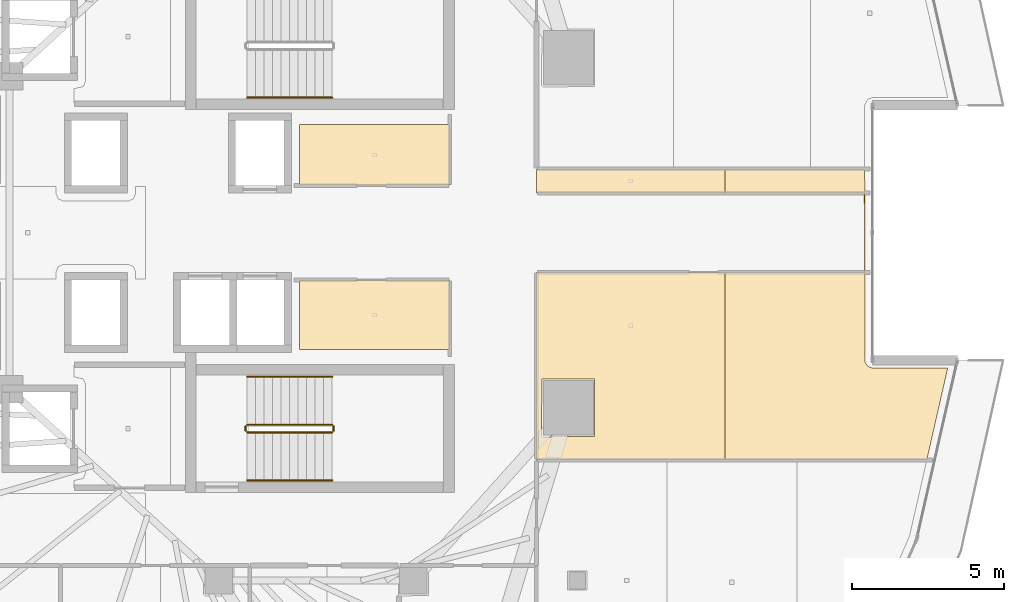
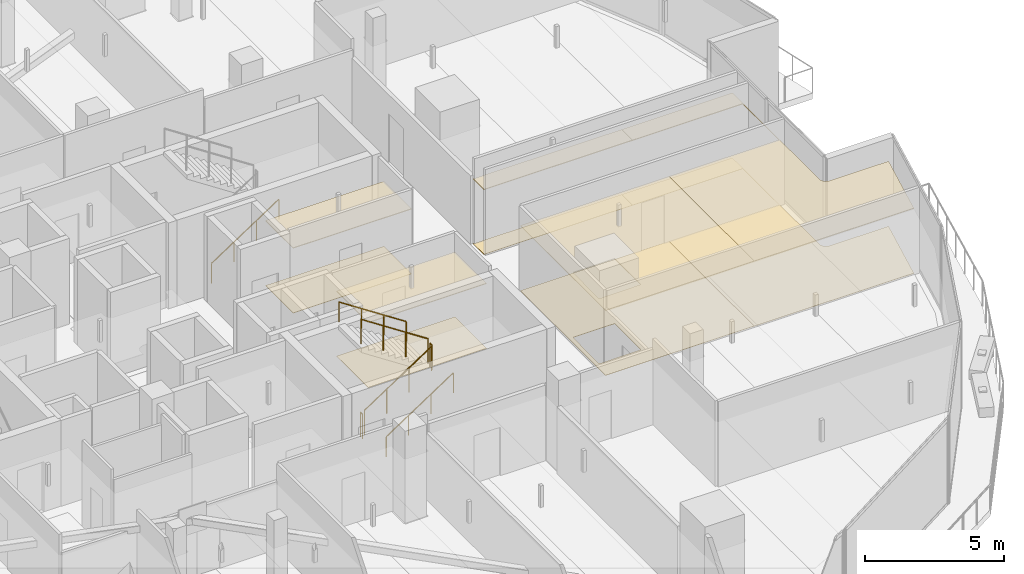
# One storey, part 38 of 40: 10 coverings, 7 railings.
"""IFC4 building model written with IfcOpenShell, lengths in metres."""

import ifcopenshell
import ifcopenshell.guid

model = None  # the IFC model being written
_history = None  # IfcOwnerHistory: only IFC2X3 demands one
_inside = {}  # id of a spatial element -> (the spatial element, [elements in it])
_under = {}  # id of a project, library or spatial element -> (it, [spatial elements below it])
_declared = {}  # id of a project -> (the project, [libraries it declares])
_typed = {}  # id of a type object -> (the type object, [elements of that type])
_made_of = {}  # id of a material, layer set ... -> (it, [elements and type objects made of it])


def new_model(schema):
    """Start an empty IFC model of exactly this schema.

    Asked for "IFC4X3", IfcOpenShell would pick the latest addendum, in which some entities
    have other attributes; the version numbers below select the first issue.
    IFC2X3 requires an IfcOwnerHistory on every rooted entity: one is made here for all.
    """
    global model, _history
    if schema == "IFC4X3":
        model = ifcopenshell.file(schema_version=(4, 3, 0, 0))
    else:
        model = ifcopenshell.file(schema=schema)
    _inside.clear()
    _under.clear()
    _declared.clear()
    _typed.clear()
    _made_of.clear()
    _history = None
    if model.schema == "IFC2X3":
        org = make("IfcOrganization", Name="unknown")
        user = make(
            "IfcPersonAndOrganization",
            ThePerson=make("IfcPerson", FamilyName="unknown"),
            TheOrganization=org,
        )
        app = make(
            "IfcApplication",
            ApplicationDeveloper=org,
            Version="unknown",
            ApplicationFullName="unknown",
            ApplicationIdentifier="unknown",
        )
        _history = make(
            "IfcOwnerHistory",
            OwningUser=user,
            OwningApplication=app,
            ChangeAction="ADDED",
            CreationDate=0,
        )
    return model


def make(cls, **values):
    """One entity of the class cls with the attributes given. An attribute that is None is left unset."""
    return model.create_entity(
        cls, **{name: value for name, value in values.items() if value is not None}
    )


def rooted(cls, **values):
    """An entity with a GlobalId (a new one), such as an element, a storey or a relation."""
    return make(cls, GlobalId=ifcopenshell.guid.new(), OwnerHistory=_history, **values)


def si_unit(unit_type, name, prefix=None):
    """IfcSIUnit, for example si_unit("LENGTHUNIT", "METRE", prefix="MILLI")."""
    return make("IfcSIUnit", UnitType=unit_type, Prefix=prefix, Name=name)


def assignment(units):
    """IfcUnitAssignment: the units of a project."""
    return None if units is None else make("IfcUnitAssignment", Units=units)


def point(xyz):
    """IfcCartesianPoint."""
    return None if xyz is None else make("IfcCartesianPoint", Coordinates=xyz)


def direction(xyz):
    """IfcDirection."""
    return None if xyz is None else make("IfcDirection", DirectionRatios=xyz)


def frame(location, z_axis=None, x_axis=None):
    """IfcAxis2Placement3D, a coordinate frame: its origin and axes. An axis left out is left unset."""
    return make(
        "IfcAxis2Placement3D",
        Location=point(location),
        Axis=direction(z_axis),
        RefDirection=direction(x_axis),
    )


def frame_2d(location, x_axis=None):
    """IfcAxis2Placement2D, a coordinate frame in the plane: its origin and x axis."""
    return make(
        "IfcAxis2Placement2D", Location=point(location), RefDirection=direction(x_axis)
    )


def origin():
    """The frame at (0, 0, 0) with its axes left unset."""
    return frame((0.0, 0.0, 0.0))


def origin_2d():
    """The frame at (0, 0) in the plane with its x axis left unset."""
    return frame_2d((0.0, 0.0))


def place(relative_to, where):
    """IfcLocalPlacement: puts the frame where relative to a parent placement (None: the world)."""
    return make(
        "IfcLocalPlacement", PlacementRelTo=relative_to, RelativePlacement=where
    )


def context(
    kind, dimensions, precision=None, world=None, true_north=None, identifier=None
):
    """IfcGeometricRepresentationContext, for example the 3D "Model" context."""
    return make(
        "IfcGeometricRepresentationContext",
        ContextIdentifier=identifier,
        ContextType=kind,
        CoordinateSpaceDimension=dimensions,
        Precision=precision,
        WorldCoordinateSystem=world,
        TrueNorth=true_north,
    )


def subcontext(parent, identifier, kind, view, scale=None):
    """IfcGeometricRepresentationSubContext, for example "Body" below "Model"."""
    return make(
        "IfcGeometricRepresentationSubContext",
        ContextIdentifier=identifier,
        ContextType=kind,
        ParentContext=parent,
        TargetScale=scale,
        TargetView=view,
    )


def project(units=None, contexts=None):
    """IfcProject with its units and contexts."""
    return rooted(
        "IfcProject",
        Name="project",
        RepresentationContexts=contexts,
        UnitsInContext=assignment(units),
    )


def spatial(cls, under=None, at=None, **own):
    """A site, building, storey or space (cls), placed at a placement, below another one or the project."""
    s = rooted(cls, ObjectPlacement=at, **own)
    if under is not None:
        _under.setdefault(under.id(), (under, []))[1].append(s)
    return s


def polyline(points):
    """IfcPolyline through the points."""
    return make("IfcPolyline", Points=[point(p) for p in points])


def profile(cls, at=None, kind="AREA", **sizes):
    """A parametric profile (cls). Its sizes go by their IFC names, for example OverallWidth=200.0."""
    return make(cls, ProfileType=kind, Position=at, **sizes)


def circle(**sizes):
    """IfcCircleProfileDef."""
    return profile("IfcCircleProfileDef", **sizes)


def outline(outer, holes=None, kind="AREA"):
    """IfcArbitraryClosedProfileDef: a profile drawn as a closed curve; with holes, ...WithVoids."""
    if holes is None:
        return make("IfcArbitraryClosedProfileDef", ProfileType=kind, OuterCurve=outer)
    return make(
        "IfcArbitraryProfileDefWithVoids",
        ProfileType=kind,
        OuterCurve=outer,
        InnerCurves=holes,
    )


def extrude(swept, where, along, depth):
    """IfcExtrudedAreaSolid: the profile swept, set in the frame where, extruded along a direction by depth."""
    return make(
        "IfcExtrudedAreaSolid",
        SweptArea=swept,
        Position=where,
        ExtrudedDirection=direction(along),
        Depth=depth,
    )


def shape(context_of_items, identifier, shape_type, items):
    """IfcShapeRepresentation: the items that make up one representation, for example the "Body"."""
    return make(
        "IfcShapeRepresentation",
        ContextOfItems=context_of_items,
        RepresentationIdentifier=identifier,
        RepresentationType=shape_type,
        Items=items,
    )


def material(Name=None, Category=None):
    """IfcMaterial."""
    return make("IfcMaterial", Name=Name, Category=Category)


def layer(
    of_material, thickness, ventilated=None, Name=None, Category=None, Priority=None
):
    """IfcMaterialLayer: one layer of a wall or slab, of a material (None: an air gap)."""
    return make(
        "IfcMaterialLayer",
        Material=of_material,
        LayerThickness=thickness,
        IsVentilated=ventilated,
        Name=Name,
        Category=Category,
        Priority=Priority,
    )


def layer_set(layers, Name=None):
    """IfcMaterialLayerSet."""
    return make("IfcMaterialLayerSet", MaterialLayers=layers, LayerSetName=Name)


def made_of(thing, what):
    """Note that an element or type object is made of a material, layer set ...; save() writes the relation."""
    if what is not None:
        _made_of.setdefault(what.id(), (what, []))[1].append(thing)
    return thing


def type_object(cls, material=None, **own):
    """A type object (cls), such as IfcWallType, which elements share."""
    return made_of(rooted(cls, **own), material)


def element(
    cls,
    number,
    at=None,
    inside=None,
    cuts=None,
    type_object=None,
    material=None,
    context=None,
    identifier="Body",
    shape_type=None,
    held_by="IfcProductDefinitionShape",
    body=None,
    shapes=None,
    **own,
):
    """One element of the class cls, such as IfcWall. Its Tag is "e" and its number.

    at: its placement. inside: the storey or other place that contains it. cuts: it is an
    opening in that element (IfcRelVoidsElement). A single representation is given by context,
    identifier, shape_type and body (its items); several are given by shapes. held_by: the class
    of the entity that holds the representations. save() writes the other relations.
    """
    e = rooted(cls, Tag="e%d" % number, ObjectPlacement=at, **own)
    if body is not None:
        shapes = [shape(context, identifier, shape_type, body)]
    if shapes is not None:
        e.Representation = make(held_by, Representations=shapes)
    if inside is not None:
        _inside.setdefault(inside.id(), (inside, []))[1].append(e)
    if cuts is not None:
        rooted(
            "IfcRelVoidsElement", RelatingBuildingElement=cuts, RelatedOpeningElement=e
        )
    if type_object is not None:
        _typed.setdefault(type_object.id(), (type_object, []))[1].append(e)
    return made_of(e, material)


def aggregate(whole, parts):
    """IfcRelAggregates: a whole, such as a stair, and the parts it consists of."""
    return rooted("IfcRelAggregates", RelatingObject=whole, RelatedObjects=parts)


def save(model, path):
    """Write the relations noted so far, then the file.

    IfcRelAggregates (storeys below a building ...), IfcRelContainedInSpatialStructure (elements
    in a storey), IfcRelDefinesByType, IfcRelAssociatesMaterial and IfcRelDeclares: one each for
    every whole, place, type object, material and project.
    """
    for whole, parts in _under.values():
        aggregate(whole, parts)
    for where, things in _inside.values():
        rooted(
            "IfcRelContainedInSpatialStructure",
            RelatedElements=things,
            RelatingStructure=where,
        )
    for kind, things in _typed.values():
        rooted("IfcRelDefinesByType", RelatedObjects=things, RelatingType=kind)
    for what, things in _made_of.values():
        rooted("IfcRelAssociatesMaterial", RelatedObjects=things, RelatingMaterial=what)
    for by, libraries in _declared.values():
        rooted("IfcRelDeclares", RelatingContext=by, RelatedDefinitions=libraries)
    model.write(path)


model = new_model("IFC4")

# Units and contexts
model_context = context("Model", 3, precision=1e-05, world=origin(), true_north=direction((0.0, 1.0)))
body_context = subcontext(model_context, "Body", "Model", "MODEL_VIEW")
ifc_project = project(units=[si_unit("LENGTHUNIT", "METRE"), si_unit("AREAUNIT", "SQUARE_METRE"), si_unit("VOLUMEUNIT", "CUBIC_METRE"), si_unit("PLANEANGLEUNIT", "RADIAN"), si_unit("MASSUNIT", "GRAM", prefix="KILO")], contexts=[model_context])

# Site, building, storey
site_placement = place(None, origin())
site = spatial("IfcSite", under=ifc_project, at=site_placement, CompositionType="ELEMENT")
building_placement = place(site_placement, origin())
building = spatial("IfcBuilding", under=site, at=building_placement, Name="Qorvath Tower", CompositionType="ELEMENT")
storey_placement = place(building_placement, frame((0.0, 0.0, 225.300048828125)))
storey = spatial("IfcBuildingStorey", under=building, at=storey_placement, Name="L52", CompositionType="ELEMENT", Elevation=225.300048828125)

# Coverings
ifc_material_1 = material(Name="Acoustic mineral fibre ceiling tile", Category="gypsum")
ifc_layer_1 = layer(ifc_material_1, 0.030029296875)
ifc_layer_set_1 = layer_set([ifc_layer_1], Name="COV-CEIL")
covering_type_1 = type_object("IfcCoveringType", Name="COV-CEIL", PredefinedType="CEILING", material=ifc_layer_set_1)
covering_1_placement = place(storey_placement, frame((0.0, 0.0, 2.849853515625)))
element("IfcCovering", 1, at=covering_1_placement, inside=storey, type_object=covering_type_1, Name="L52 Suspended Acoustic Ceiling 003", PredefinedType="CEILING", context=body_context, shape_type="SweptSolid", body=[
    extrude(outline(polyline([(-16.0048828125, 3.56005859375), (-20.93994140625, 3.56005859375), (-20.93994140625, 1.56494140625), (-16.0048828125, 1.56494140625), (-16.0048828125, 3.56005859375)])), origin(), (0.0, 0.0, 1.0), 0.030029296875),
])
covering_2_placement = place(storey_placement, frame((0.0, 0.0, 2.849853515625)))
element("IfcCovering", 2, at=covering_2_placement, inside=storey, type_object=covering_type_1, Name="L52 Suspended Acoustic Ceiling 004", PredefinedType="CEILING", context=body_context, shape_type="SweptSolid", body=[
    extrude(outline(polyline([(-20.93994140625, -1.56494140625), (-20.93994140625, -3.85009765625), (-16.0048828125, -3.85009765625), (-16.0048828125, -1.56494140625), (-20.93994140625, -1.56494140625)])), origin(), (0.0, 0.0, 1.0), 0.030029296875),
])
covering_3_placement = place(storey_placement, frame((0.0, 0.0, 2.849853515625)))
element("IfcCovering", 3, at=covering_3_placement, inside=storey, type_object=covering_type_1, Name="L52 Suspended Acoustic Ceiling 033", PredefinedType="CEILING", context=body_context, shape_type="SweptSolid", body=[
    extrude(outline(polyline([(-6.946533203125, -7.4677734375), (-6.946533203125, -1.31005859375), (-13.136962890625, -1.31298828125), (-13.136962890625, -7.4677734375), (-6.946533203125, -7.4677734375)]), holes=[polyline([(-12.981689453125, -6.657958984375), (-12.964111328125, -4.8154296875), (-11.2294921875, -4.8154296875), (-11.2294921875, -6.700439453125), (-12.921875, -6.718017578125), (-12.981689453125, -6.657958984375)])]), origin(), (0.0, 0.0, 1.0), 0.030029296875),
])
covering_4_placement = place(storey_placement, frame((0.0, 0.0, 2.849853515625)))
element("IfcCovering", 4, at=covering_4_placement, inside=storey, type_object=covering_type_1, Name="L52 Suspended Acoustic Ceiling 034", PredefinedType="CEILING", context=body_context, shape_type="SweptSolid", body=[
    extrude(outline(polyline([(-6.946533203125, 1.31298828125), (-6.946533203125, 2.09033203125), (-13.136962890625, 2.09033203125), (-13.136962890625, 1.31298828125), (-6.946533203125, 1.31298828125)])), origin(), (0.0, 0.0, 1.0), 0.030029296875),
])
covering_5_placement = place(storey_placement, frame((0.0, 0.0, 2.849853515625)))
element("IfcCovering", 5, at=covering_5_placement, inside=storey, type_object=covering_type_1, Name="L52 Suspended Acoustic Ceiling 035", PredefinedType="CEILING", context=body_context, shape_type="SweptSolid", body=[
    extrude(outline(polyline([(-2.247314453125, -4.3916015625), (-2.334716796875, -4.24462890625), (-2.339599609375, 2.09033203125), (-6.946533203125, 2.09033203125), (-6.946533203125, 1.31298828125), (-2.3564453125, 1.31298828125), (-2.3515625, -1.30810546875), (-6.946533203125, -1.31005859375), (-6.946533203125, -7.4677734375), (-0.293701171875, -7.4677734375), (0.39306640625, -4.45068359375), (-2.10888671875, -4.44970703125), (-2.247314453125, -4.3916015625)])), origin(), (0.0, 0.0, 1.0), 0.030029296875),
])
ifc_material_2 = material(Name="Low-VOC modular carpet tile", Category="textile")
ifc_layer_2 = layer(ifc_material_2, 0.014892578125)
ifc_layer_set_2 = layer_set([ifc_layer_2], Name="COV-FLOOR-CPT")
covering_type_2 = type_object("IfcCoveringType", Name="COV-FLOOR-CPT", PredefinedType="FLOORING", material=ifc_layer_set_2)
covering_6_placement = place(storey_placement, origin())
element("IfcCovering", 6, at=covering_6_placement, inside=storey, type_object=covering_type_2, Name="L52 Floor Finish 003", PredefinedType="FLOORING", context=body_context, shape_type="SweptSolid", body=[
    extrude(outline(polyline([(-16.0048828125, 3.56005859375), (-20.93994140625, 3.56005859375), (-20.93994140625, 1.56494140625), (-16.0048828125, 1.56494140625), (-16.0048828125, 3.56005859375)])), origin(), (0.0, 0.0, 1.0), 0.014892578125),
])
covering_7_placement = place(storey_placement, origin())
element("IfcCovering", 7, at=covering_7_placement, inside=storey, type_object=covering_type_2, Name="L52 Floor Finish 004", PredefinedType="FLOORING", context=body_context, shape_type="SweptSolid", body=[
    extrude(outline(polyline([(-20.93994140625, -1.56494140625), (-20.93994140625, -3.85009765625), (-16.0048828125, -3.85009765625), (-16.0048828125, -1.56494140625), (-20.93994140625, -1.56494140625)])), origin(), (0.0, 0.0, 1.0), 0.014892578125),
])
covering_8_placement = place(storey_placement, origin())
element("IfcCovering", 8, at=covering_8_placement, inside=storey, type_object=covering_type_2, Name="L52 Floor Finish 033", PredefinedType="FLOORING", context=body_context, shape_type="SweptSolid", body=[
    extrude(outline(polyline([(-6.946533203125, -7.4677734375), (-6.946533203125, -1.31005859375), (-13.136962890625, -1.31298828125), (-13.136962890625, -7.4677734375), (-6.946533203125, -7.4677734375)]), holes=[polyline([(-12.981689453125, -6.657958984375), (-12.964111328125, -4.8154296875), (-11.2294921875, -4.8154296875), (-11.2294921875, -6.700439453125), (-12.921875, -6.718017578125), (-12.981689453125, -6.657958984375)])]), origin(), (0.0, 0.0, 1.0), 0.014892578125),
])
covering_9_placement = place(storey_placement, origin())
element("IfcCovering", 9, at=covering_9_placement, inside=storey, type_object=covering_type_2, Name="L52 Floor Finish 034", PredefinedType="FLOORING", context=body_context, shape_type="SweptSolid", body=[
    extrude(outline(polyline([(-6.946533203125, 1.31298828125), (-6.946533203125, 2.09033203125), (-13.136962890625, 2.09033203125), (-13.136962890625, 1.31298828125), (-6.946533203125, 1.31298828125)])), origin(), (0.0, 0.0, 1.0), 0.014892578125),
])
covering_10_placement = place(storey_placement, origin())
element("IfcCovering", 10, at=covering_10_placement, inside=storey, type_object=covering_type_2, Name="L52 Floor Finish 035", PredefinedType="FLOORING", context=body_context, shape_type="SweptSolid", body=[
    extrude(outline(polyline([(-2.247314453125, -4.3916015625), (-2.334716796875, -4.24462890625), (-2.339599609375, 2.09033203125), (-6.946533203125, 2.09033203125), (-6.946533203125, 1.31298828125), (-2.3564453125, 1.31298828125), (-2.3515625, -1.30810546875), (-6.946533203125, -1.31005859375), (-6.946533203125, -7.4677734375), (-0.293701171875, -7.4677734375), (0.39306640625, -4.45068359375), (-2.10888671875, -4.44970703125), (-2.247314453125, -4.3916015625)])), origin(), (0.0, 0.0, 1.0), 0.014892578125),
])

# Railings
ifc_material_3 = material(Name="Painted galvanised steel", Category="steel")
railing_type_1 = type_object("IfcRailingType", Name="RL-STR-GRD", PredefinedType="GUARDRAIL", material=ifc_material_3)
railing_1_placement = place(storey_placement, frame((-22.669921875, -6.570068359375, 0.18408203125)))
element("IfcRailing", 11, at=railing_1_placement, inside=storey, type_object=railing_type_1, Name="L52 TS2 stair guard 1", PredefinedType="GUARDRAIL", context=body_context, shape_type="SweptSolid", body=[
    extrude(circle(Radius=0.02392578125, at=origin_2d()), frame((0.0, 0.0, 1.076171875), z_axis=(0.835575518608, 0.0, 0.549375602573), x_axis=(0.0, 1.0, 0.0)), (0.0, 0.0, 1.0), 3.350830078125),
    extrude(circle(Radius=0.02099609375, at=origin_2d()), origin(), (0.0, 0.0, 1.0), 1.052001953125),
    extrude(circle(Radius=0.02099609375, at=origin_2d()), frame((0.933349609375, 0.0, 0.613525390625)), (0.0, 0.0, 1.0), 1.052001953125),
    extrude(circle(Radius=0.02099609375, at=origin_2d()), frame((1.866455078125, 0.0, 1.227294921875)), (0.0, 0.0, 1.0), 1.052001953125),
    extrude(circle(Radius=0.02099609375, at=origin_2d()), frame((2.7998046875, 0.0, 1.8408203125)), (0.0, 0.0, 1.0), 1.052001953125),
])
railing_2_placement = place(storey_placement, frame((-19.820068359375, -6.52001953125, 2.02490234375)))
element("IfcRailing", 12, at=railing_2_placement, inside=storey, type_object=railing_type_1, Name="L52 TS2 stair guard 2", PredefinedType="GUARDRAIL", context=body_context, shape_type="SweptSolid", body=[
    extrude(circle(Radius=0.02392578125, at=origin_2d()), frame((0.0, 0.0, 1.076171875), z_axis=(0.0, 1.0, 0.0), x_axis=(-1.0, 0.0, 0.0)), (0.0, 0.0, 1.0), 0.14990234375),
    extrude(circle(Radius=0.02099609375, at=origin_2d()), origin(), (0.0, 0.0, 1.0), 1.052001953125),
    extrude(circle(Radius=0.02099609375, at=origin_2d()), frame((0.0, 0.14990234375, 0.0)), (0.0, 0.0, 1.0), 1.052001953125),
])
railing_3_placement = place(storey_placement, frame((-19.8701171875, -6.320068359375, 2.208984375)))
element("IfcRailing", 13, at=railing_3_placement, inside=storey, type_object=railing_type_1, Name="L52 TS2 stair guard 3", PredefinedType="GUARDRAIL", context=body_context, shape_type="SweptSolid", body=[
    extrude(circle(Radius=0.02392578125, at=origin_2d()), frame((0.0, 0.0, 1.076171875), z_axis=(-0.835542071712, 0.0, 0.549426470421), x_axis=(0.0, -1.0, 0.0)), (0.0, 0.0, 1.0), 3.350830078125),
    extrude(circle(Radius=0.02099609375, at=origin_2d()), origin(), (0.0, 0.0, 1.0), 1.052001953125),
    extrude(circle(Radius=0.02099609375, at=origin_2d()), frame((-0.933349609375, 0.0, 0.61376953125)), (0.0, 0.0, 1.0), 1.052001953125),
    extrude(circle(Radius=0.02099609375, at=origin_2d()), frame((-1.866455078125, 0.0, 1.227294921875)), (0.0, 0.0, 1.0), 1.052001953125),
    extrude(circle(Radius=0.02099609375, at=origin_2d()), frame((-2.7998046875, 0.0, 1.841064453125)), (0.0, 0.0, 1.0), 1.052001953125),
])
railing_4_placement = place(storey_placement, frame((-22.719970703125, -6.52001953125, 0.0)))
element("IfcRailing", 14, at=railing_4_placement, inside=storey, type_object=railing_type_1, Name="L52 TS2 stair guard 4", PredefinedType="GUARDRAIL", context=body_context, shape_type="SweptSolid", body=[
    extrude(circle(Radius=0.02392578125, at=origin_2d()), frame((0.0, 0.0, 1.076171875), z_axis=(0.0, 1.0, 0.0), x_axis=(-1.0, 0.0, 0.0)), (0.0, 0.0, 1.0), 0.14990234375),
    extrude(circle(Radius=0.02099609375, at=origin_2d()), origin(), (0.0, 0.0, 1.0), 1.052001953125),
    extrude(circle(Radius=0.02099609375, at=origin_2d()), frame((0.0, 0.14990234375, 0.0)), (0.0, 0.0, 1.0), 1.052001953125),
])
ifc_material_4 = material(Name="Brushed stainless steel AISI 304", Category="steel")
railing_type_2 = type_object("IfcRailingType", Name="RL-STR-HND", PredefinedType="HANDRAIL", material=ifc_material_4)
for number, where, name in (
    (15, (-22.669921875, 4.449951171875, 0.18408203125), "L52 TS1 stair handrail 1"),
    (16, (-22.669921875, -8.14990234375, 0.18408203125), "L52 TS2 stair handrail 1"),
):
    element("IfcRailing", number, at=place(storey_placement, frame(where)), inside=storey, type_object=railing_type_2, Name=name, PredefinedType="HANDRAIL", context=body_context, shape_type="SweptSolid", body=[
        extrude(circle(Radius=0.02392578125, at=origin_2d()), frame((0.0, 0.0, 0.8759765625), z_axis=(0.835575518608, 0.0, 0.549375602573), x_axis=(0.0, 1.0, 0.0)), (0.0, 0.0, 1.0), 3.350830078125),
        extrude(circle(Radius=0.02099609375, at=origin_2d()), origin(), (0.0, 0.0, 1.0), 0.851806640625),
        extrude(circle(Radius=0.02099609375, at=origin_2d()), frame((0.933349609375, 0.0, 0.613525390625)), (0.0, 0.0, 1.0), 0.851806640625),
        extrude(circle(Radius=0.02099609375, at=origin_2d()), frame((1.866455078125, 0.0, 1.227294921875)), (0.0, 0.0, 1.0), 0.851806640625),
        extrude(circle(Radius=0.02099609375, at=origin_2d()), frame((2.7998046875, 0.0, 1.8408203125)), (0.0, 0.0, 1.0), 0.851806640625),
    ])
railing_5_placement = place(storey_placement, frame((-19.8701171875, -4.739990234375, 2.208984375)))
element("IfcRailing", 17, at=railing_5_placement, inside=storey, type_object=railing_type_2, Name="L52 TS2 stair handrail 2", PredefinedType="HANDRAIL", context=body_context, shape_type="SweptSolid", body=[
    extrude(circle(Radius=0.02392578125, at=origin_2d()), frame((0.0, 0.0, 0.8759765625), z_axis=(-0.835542071712, 0.0, 0.549426470421), x_axis=(0.0, -1.0, 0.0)), (0.0, 0.0, 1.0), 3.350830078125),
    extrude(circle(Radius=0.02099609375, at=origin_2d()), origin(), (0.0, 0.0, 1.0), 0.851806640625),
    extrude(circle(Radius=0.02099609375, at=origin_2d()), frame((-0.933349609375, 0.0, 0.61376953125)), (0.0, 0.0, 1.0), 0.851806640625),
    extrude(circle(Radius=0.02099609375, at=origin_2d()), frame((-1.866455078125, 0.0, 1.227294921875)), (0.0, 0.0, 1.0), 0.851806640625),
    extrude(circle(Radius=0.02099609375, at=origin_2d()), frame((-2.7998046875, 0.0, 1.841064453125)), (0.0, 0.0, 1.0), 0.851806640625),
])

save(model, "model.ifc")
